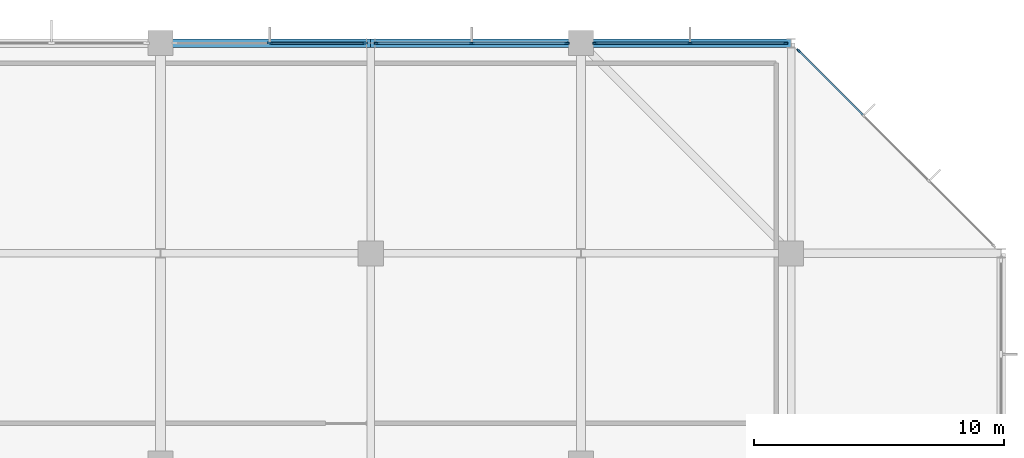
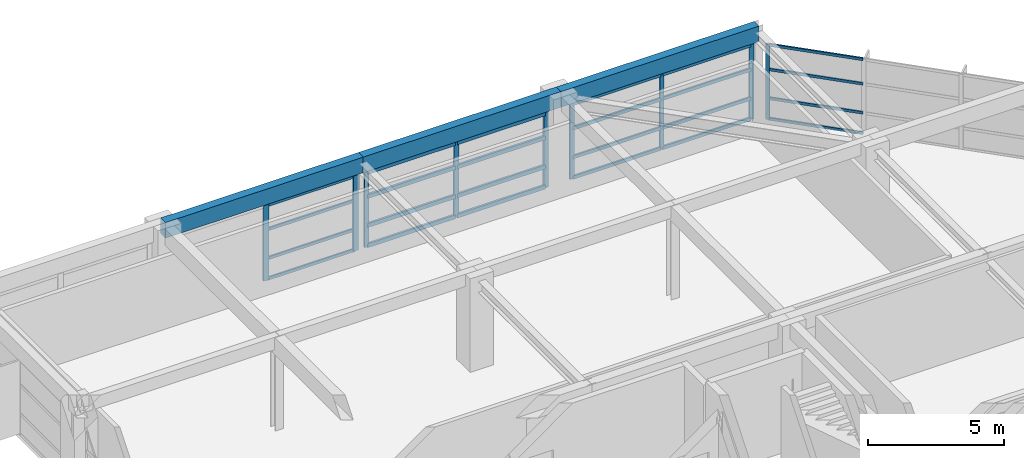
# One storey, part 24 of 32: 33 members, 3 beams, 4 elements without a shape of their own.
"""IFC4 building model written with IfcOpenShell, lengths in metres."""

from ifc_helpers import new_model, si_unit, direction, frame, origin, origin_2d, place, context, subcontext, project, spatial, rectangle, extrude, material, material_profile, profile_set, type_object, element, aggregate, save


model = new_model("IFC4")

# Units and contexts
model_context = context("Model", 3, precision=1e-05, world=origin(), true_north=direction((0.0, 1.0)))
body_context = subcontext(model_context, "Body", "Model", "MODEL_VIEW")
ifc_project = project(units=[si_unit("LENGTHUNIT", "METRE"), si_unit("AREAUNIT", "SQUARE_METRE"), si_unit("VOLUMEUNIT", "CUBIC_METRE"), si_unit("PLANEANGLEUNIT", "RADIAN"), si_unit("MASSUNIT", "GRAM", prefix="KILO")], contexts=[model_context])

# Site, building, storey
site_placement = place(None, origin())
site = spatial("IfcSite", under=ifc_project, at=site_placement, CompositionType="ELEMENT")
building_placement = place(site_placement, origin())
building = spatial("IfcBuilding", under=site, at=building_placement, Name="Xuanlan Plaza Opera House", CompositionType="ELEMENT")
storey_placement = place(building_placement, frame((0.0, 0.0, 40.5)))
storey = spatial("IfcBuildingStorey", under=building, at=storey_placement, Name="L09", CompositionType="ELEMENT", Elevation=40.5)

# Curtain wall, member
ifc_material_1 = material(Name="Anodised Aluminium 6063-T6 and Low-E Glass", Category="aluminium")
curtain_wall_type_1 = type_object("IfcCurtainWallType", Name="ENV-CW-CW-01", PredefinedType="USERDEFINED", material=ifc_material_1)
curtain_wall_1_placement = place(storey_placement, origin())
curtain_wall_1 = element("IfcCurtainWall", 1, at=curtain_wall_1_placement, inside=storey, type_object=curtain_wall_type_1, Name="Unitised Curtain Wall L09-010", ObjectType="UNITISED CURTAIN WALL", PredefinedType="USERDEFINED")
ifc_material_2 = material(Name="Anodised Aluminium 6063-T6", Category="aluminium")
ifc_material_profile_1 = material_profile(ifc_material_2, rectangle(XDim=0.06494140625, YDim=0.159912109375, at=origin_2d()), Name="ALU-M 65x160")
ifc_profile_set_1 = profile_set([ifc_material_profile_1], Name="Anodised Aluminium 6063-T6")
member_type_1 = type_object("IfcMemberType", Name="ENV-CWM-01", PredefinedType="MULLION", material=ifc_profile_set_1)
member_1_placement = place(storey_placement, frame((159.89697265625, 83.703125, 0.0), z_axis=(0.0, 0.0, 1.0), x_axis=(-0.707106781187, -0.707106781187, 0.0)))
member_1 = element("IfcMember", 2, at=member_1_placement, type_object=member_type_1, Name="CW-01 mullion 4", PredefinedType="MULLION", context=body_context, shape_type="SweptSolid", body=[
    extrude(rectangle(XDim=0.06494140625, YDim=0.159912109375, at=origin_2d()), origin(), (0.0, 0.0, 1.0), 3.3798828125),
])

# Curtain wall, members
curtain_wall_type_2 = type_object("IfcCurtainWallType", Name="ENV-CW-CW-02", PredefinedType="USERDEFINED", material=ifc_material_1)
curtain_wall_2_placement = place(storey_placement, origin())
curtain_wall_2 = element("IfcCurtainWall", 3, at=curtain_wall_2_placement, inside=storey, type_object=curtain_wall_type_2, Name="Unitised Curtain Wall L09-011", ObjectType="UNITISED CURTAIN WALL", PredefinedType="USERDEFINED")
ifc_material_profile_2 = material_profile(ifc_material_2, rectangle(XDim=0.070068359375, YDim=0.179931640625, at=origin_2d()), Name="ALU-M 70x180")
ifc_profile_set_2 = profile_set([ifc_material_profile_2], Name="Anodised Aluminium 6063-T6")
member_type_2 = type_object("IfcMemberType", Name="ENV-CWM-02", PredefinedType="MULLION", material=ifc_profile_set_2)
member_2_placement = place(storey_placement, frame((159.3701171875, 84.0, 0.0), z_axis=(0.0, 0.0, 1.0), x_axis=(0.0, -1.0, 0.0)))
member_2 = element("IfcMember", 4, at=member_2_placement, type_object=member_type_2, Name="CW-02 mullion 1", PredefinedType="MULLION", context=body_context, shape_type="SweptSolid", body=[
    extrude(rectangle(XDim=0.070068359375, YDim=0.179931640625, at=origin_2d()), origin(), (0.0, 0.0, 1.0), 3.3798828125),
])
member_3_placement = place(storey_placement, frame((155.5625, 84.0, 0.0), z_axis=(0.0, 0.0, 1.0), x_axis=(0.0, -1.0, 0.0)))
member_3 = element("IfcMember", 5, at=member_3_placement, type_object=member_type_2, Name="CW-02 mullion 2", PredefinedType="MULLION", context=body_context, shape_type="SweptSolid", body=[
    extrude(rectangle(XDim=0.070068359375, YDim=0.179931640625, at=origin_2d()), origin(), (0.0, 0.0, 1.0), 3.3798828125),
])
member_4_placement = place(storey_placement, frame((151.7548828125, 84.0, 0.0), z_axis=(0.0, 0.0, 1.0), x_axis=(0.0, -1.0, 0.0)))
member_4 = element("IfcMember", 6, at=member_4_placement, type_object=member_type_2, Name="CW-02 mullion 3", PredefinedType="MULLION", context=body_context, shape_type="SweptSolid", body=[
    extrude(rectangle(XDim=0.070068359375, YDim=0.179931640625, at=origin_2d()), origin(), (0.0, 0.0, 1.0), 3.3798828125),
])

curtain_wall_type_3 = type_object("IfcCurtainWallType", Name="ENV-CW-CW-03", PredefinedType="USERDEFINED", material=ifc_material_1)
curtain_wall_3_placement = place(storey_placement, origin())
curtain_wall_3 = element("IfcCurtainWall", 7, at=curtain_wall_3_placement, inside=storey, type_object=curtain_wall_type_3, Name="Unitised Curtain Wall L09-012", ObjectType="UNITISED CURTAIN WALL", PredefinedType="USERDEFINED")
ifc_material_profile_3 = material_profile(ifc_material_2, rectangle(XDim=0.074951171875, YDim=0.199951171875, at=origin_2d()), Name="ALU-M 75x200")
ifc_profile_set_3 = profile_set([ifc_material_profile_3], Name="Anodised Aluminium 6063-T6")
member_type_3 = type_object("IfcMemberType", Name="ENV-CWM-03", PredefinedType="MULLION", material=ifc_profile_set_3)
member_5_placement = place(storey_placement, frame((150.642578125, 84.0, 0.0), z_axis=(0.0, 0.0, 1.0), x_axis=(0.0, -1.0, 0.0)))
member_5 = element("IfcMember", 8, at=member_5_placement, type_object=member_type_3, Name="CW-03 mullion 1", PredefinedType="MULLION", context=body_context, shape_type="SweptSolid", body=[
    extrude(rectangle(XDim=0.074951171875, YDim=0.199951171875, at=origin_2d()), origin(), (0.0, 0.0, 1.0), 3.3798828125),
])
member_6_placement = place(storey_placement, frame((146.83740234375, 84.0, 0.0), z_axis=(0.0, 0.0, 1.0), x_axis=(0.0, -1.0, 0.0)))
member_6 = element("IfcMember", 9, at=member_6_placement, type_object=member_type_3, Name="CW-03 mullion 2", PredefinedType="MULLION", context=body_context, shape_type="SweptSolid", body=[
    extrude(rectangle(XDim=0.074951171875, YDim=0.199951171875, at=origin_2d()), origin(), (0.0, 0.0, 1.0), 3.3798828125),
])
member_7_placement = place(storey_placement, frame((143.032470703125, 84.0, 0.0), z_axis=(0.0, 0.0, 1.0), x_axis=(0.0, -1.0, 0.0)))
member_7 = element("IfcMember", 10, at=member_7_placement, type_object=member_type_3, Name="CW-03 mullion 3", PredefinedType="MULLION", context=body_context, shape_type="SweptSolid", body=[
    extrude(rectangle(XDim=0.074951171875, YDim=0.199951171875, at=origin_2d()), origin(), (0.0, 0.0, 1.0), 3.3798828125),
])

curtain_wall_type_4 = type_object("IfcCurtainWallType", Name="ENV-CW-CW-04", PredefinedType="USERDEFINED", material=ifc_material_1)
curtain_wall_4_placement = place(storey_placement, origin())
curtain_wall_4 = element("IfcCurtainWall", 11, at=curtain_wall_4_placement, inside=storey, type_object=curtain_wall_type_4, Name="Unitised Curtain Wall L09-013", ObjectType="UNITISED CURTAIN WALL", PredefinedType="USERDEFINED")
ifc_material_profile_4 = material_profile(ifc_material_2, rectangle(XDim=0.080078125, YDim=0.219970703125, at=origin_2d()), Name="ALU-M 80x220")
ifc_profile_set_4 = profile_set([ifc_material_profile_4], Name="Anodised Aluminium 6063-T6")
member_type_4 = type_object("IfcMemberType", Name="ENV-CWM-04", PredefinedType="MULLION", material=ifc_profile_set_4)
member_8_placement = place(storey_placement, frame((142.56494140625, 84.0, 0.0), z_axis=(0.0, 0.0, 1.0), x_axis=(0.0, -1.0, 0.0)))
member_8 = element("IfcMember", 12, at=member_8_placement, type_object=member_type_4, Name="CW-04 mullion 1", PredefinedType="MULLION", context=body_context, shape_type="SweptSolid", body=[
    extrude(rectangle(XDim=0.080078125, YDim=0.219970703125, at=origin_2d()), origin(), (0.0, 0.0, 1.0), 3.3798828125),
])
member_9_placement = place(storey_placement, frame((138.762451171875, 84.0, 0.0), z_axis=(0.0, 0.0, 1.0), x_axis=(0.0, -1.0, 0.0)))
member_9 = element("IfcMember", 13, at=member_9_placement, type_object=member_type_4, Name="CW-04 mullion 2", PredefinedType="MULLION", context=body_context, shape_type="SweptSolid", body=[
    extrude(rectangle(XDim=0.080078125, YDim=0.219970703125, at=origin_2d()), origin(), (0.0, 0.0, 1.0), 3.3798828125),
])

# Member
ifc_material_profile_5 = material_profile(ifc_material_2, rectangle(XDim=0.06494140625, YDim=0.1201171875, at=origin_2d()), Name="ALU-T 65x120")
ifc_profile_set_5 = profile_set([ifc_material_profile_5], Name="Anodised Aluminium 6063-T6")
member_type_5 = type_object("IfcMemberType", Name="ENV-CWT-01", PredefinedType="USERDEFINED", material=ifc_profile_set_5)
member_10_placement = place(storey_placement, frame((162.46826171875, 81.131591796875, 0.032470703125), z_axis=(-0.707106781187, 0.707106781187, 0.0), x_axis=(-0.707106781187, -0.707106781187, 0.0)))
member_10 = element("IfcMember", 14, at=member_10_placement, type_object=member_type_5, Name="CW-01 transom 3.1", ObjectType="TRANSOM", PredefinedType="USERDEFINED", context=body_context, shape_type="SweptSolid", body=[
    extrude(rectangle(XDim=0.06494140625, YDim=0.1201171875, at=origin_2d()), origin(), (0.0, 0.0, 1.0), 3.60400390625),
])

member_11_placement = place(storey_placement, frame((162.46826171875, 81.131591796875, 0.949951171875), z_axis=(-0.707106781187, 0.707106781187, 0.0), x_axis=(-0.707106781187, -0.707106781187, 0.0)))
member_11 = element("IfcMember", 15, at=member_11_placement, type_object=member_type_5, Name="CW-01 transom 3.2", ObjectType="TRANSOM", PredefinedType="USERDEFINED", context=body_context, shape_type="SweptSolid", body=[
    extrude(rectangle(XDim=0.06494140625, YDim=0.1201171875, at=origin_2d()), origin(), (0.0, 0.0, 1.0), 3.60400390625),
])

member_12_placement = place(storey_placement, frame((162.46826171875, 81.131591796875, 2.25), z_axis=(-0.707106781187, 0.707106781187, 0.0), x_axis=(-0.707106781187, -0.707106781187, 0.0)))
member_12 = element("IfcMember", 16, at=member_12_placement, type_object=member_type_5, Name="CW-01 transom 3.3", ObjectType="TRANSOM", PredefinedType="USERDEFINED", context=body_context, shape_type="SweptSolid", body=[
    extrude(rectangle(XDim=0.06494140625, YDim=0.1201171875, at=origin_2d()), origin(), (0.0, 0.0, 1.0), 3.60400390625),
])

member_13_placement = place(storey_placement, frame((162.46826171875, 81.131591796875, 3.347412109375), z_axis=(-0.707106781187, 0.707106781187, 0.0), x_axis=(-0.707106781187, -0.707106781187, 0.0)))
member_13 = element("IfcMember", 17, at=member_13_placement, type_object=member_type_5, Name="CW-01 transom 3.4", ObjectType="TRANSOM", PredefinedType="USERDEFINED", context=body_context, shape_type="SweptSolid", body=[
    extrude(rectangle(XDim=0.06494140625, YDim=0.1201171875, at=origin_2d()), origin(), (0.0, 0.0, 1.0), 3.60400390625),
])

aggregate(curtain_wall_1, [member_1, member_10, member_11, member_12, member_13])

ifc_material_profile_6 = material_profile(ifc_material_2, rectangle(XDim=0.070068359375, YDim=0.135009765625, at=origin_2d()), Name="ALU-T 70x135")
ifc_profile_set_6 = profile_set([ifc_material_profile_6], Name="Anodised Aluminium 6063-T6")
member_type_6 = type_object("IfcMemberType", Name="ENV-CWT-02", PredefinedType="USERDEFINED", material=ifc_profile_set_6)
member_14_placement = place(storey_placement, frame((142.52490234375, 84.0, 0.034912109375), z_axis=(-1.0, 0.0, 0.0), x_axis=(0.0, -1.0, 0.0)))
member_14 = element("IfcMember", 18, at=member_14_placement, type_object=member_type_6, Name="CW-04 transom 1.1", ObjectType="TRANSOM", PredefinedType="USERDEFINED", context=body_context, shape_type="SweptSolid", body=[
    extrude(rectangle(XDim=0.070068359375, YDim=0.135009765625, at=origin_2d()), origin(), (0.0, 0.0, 1.0), 3.722412109375),
])

member_15_placement = place(storey_placement, frame((142.52490234375, 84.0, 0.949951171875), z_axis=(-1.0, 0.0, 0.0), x_axis=(0.0, -1.0, 0.0)))
member_15 = element("IfcMember", 19, at=member_15_placement, type_object=member_type_6, Name="CW-04 transom 1.2", ObjectType="TRANSOM", PredefinedType="USERDEFINED", context=body_context, shape_type="SweptSolid", body=[
    extrude(rectangle(XDim=0.070068359375, YDim=0.135009765625, at=origin_2d()), origin(), (0.0, 0.0, 1.0), 3.722412109375),
])

member_16_placement = place(storey_placement, frame((142.52490234375, 84.0, 2.25), z_axis=(-1.0, 0.0, 0.0), x_axis=(0.0, -1.0, 0.0)))
member_16 = element("IfcMember", 20, at=member_16_placement, type_object=member_type_6, Name="CW-04 transom 1.3", ObjectType="TRANSOM", PredefinedType="USERDEFINED", context=body_context, shape_type="SweptSolid", body=[
    extrude(rectangle(XDim=0.070068359375, YDim=0.135009765625, at=origin_2d()), origin(), (0.0, 0.0, 1.0), 3.722412109375),
])

member_17_placement = place(storey_placement, frame((142.52490234375, 84.0, 3.344970703125), z_axis=(-1.0, 0.0, 0.0), x_axis=(0.0, -1.0, 0.0)))
member_17 = element("IfcMember", 21, at=member_17_placement, type_object=member_type_6, Name="CW-04 transom 1.4", ObjectType="TRANSOM", PredefinedType="USERDEFINED", context=body_context, shape_type="SweptSolid", body=[
    extrude(rectangle(XDim=0.070068359375, YDim=0.135009765625, at=origin_2d()), origin(), (0.0, 0.0, 1.0), 3.722412109375),
])

aggregate(curtain_wall_4, [member_8, member_9, member_14, member_15, member_16, member_17])

ifc_material_profile_7 = material_profile(ifc_material_2, rectangle(XDim=0.074951171875, YDim=0.14990234375, at=origin_2d()), Name="ALU-T 75x150")
ifc_profile_set_7 = profile_set([ifc_material_profile_7], Name="Anodised Aluminium 6063-T6")
member_type_7 = type_object("IfcMemberType", Name="ENV-CWT-03", PredefinedType="USERDEFINED", material=ifc_profile_set_7)
member_18_placement = place(storey_placement, frame((159.3349609375, 84.0, 0.03759765625), z_axis=(-1.0, 0.0, 0.0), x_axis=(0.0, -1.0, 0.0)))
member_18 = element("IfcMember", 22, at=member_18_placement, type_object=member_type_7, Name="CW-02 transom 1.1", ObjectType="TRANSOM", PredefinedType="USERDEFINED", context=body_context, shape_type="SweptSolid", body=[
    extrude(rectangle(XDim=0.074951171875, YDim=0.14990234375, at=origin_2d()), origin(), (0.0, 0.0, 1.0), 3.737548828125),
])

member_19_placement = place(storey_placement, frame((159.3349609375, 84.0, 0.949951171875), z_axis=(-1.0, 0.0, 0.0), x_axis=(0.0, -1.0, 0.0)))
member_19 = element("IfcMember", 23, at=member_19_placement, type_object=member_type_7, Name="CW-02 transom 1.2", ObjectType="TRANSOM", PredefinedType="USERDEFINED", context=body_context, shape_type="SweptSolid", body=[
    extrude(rectangle(XDim=0.074951171875, YDim=0.14990234375, at=origin_2d()), origin(), (0.0, 0.0, 1.0), 3.737548828125),
])

member_20_placement = place(storey_placement, frame((159.3349609375, 84.0, 2.25), z_axis=(-1.0, 0.0, 0.0), x_axis=(0.0, -1.0, 0.0)))
member_20 = element("IfcMember", 24, at=member_20_placement, type_object=member_type_7, Name="CW-02 transom 1.3", ObjectType="TRANSOM", PredefinedType="USERDEFINED", context=body_context, shape_type="SweptSolid", body=[
    extrude(rectangle(XDim=0.074951171875, YDim=0.14990234375, at=origin_2d()), origin(), (0.0, 0.0, 1.0), 3.737548828125),
])

member_21_placement = place(storey_placement, frame((159.3349609375, 84.0, 3.342529296875), z_axis=(-1.0, 0.0, 0.0), x_axis=(0.0, -1.0, 0.0)))
member_21 = element("IfcMember", 25, at=member_21_placement, type_object=member_type_7, Name="CW-02 transom 1.4", ObjectType="TRANSOM", PredefinedType="USERDEFINED", context=body_context, shape_type="SweptSolid", body=[
    extrude(rectangle(XDim=0.074951171875, YDim=0.14990234375, at=origin_2d()), origin(), (0.0, 0.0, 1.0), 3.737548828125),
])

member_22_placement = place(storey_placement, frame((155.527587890625, 84.0, 0.03759765625), z_axis=(-1.0, 0.0, 0.0), x_axis=(0.0, -1.0, 0.0)))
member_22 = element("IfcMember", 26, at=member_22_placement, type_object=member_type_7, Name="CW-02 transom 2.1", ObjectType="TRANSOM", PredefinedType="USERDEFINED", context=body_context, shape_type="SweptSolid", body=[
    extrude(rectangle(XDim=0.074951171875, YDim=0.14990234375, at=origin_2d()), origin(), (0.0, 0.0, 1.0), 3.737548828125),
])

member_23_placement = place(storey_placement, frame((155.527587890625, 84.0, 0.949951171875), z_axis=(-1.0, 0.0, 0.0), x_axis=(0.0, -1.0, 0.0)))
member_23 = element("IfcMember", 27, at=member_23_placement, type_object=member_type_7, Name="CW-02 transom 2.2", ObjectType="TRANSOM", PredefinedType="USERDEFINED", context=body_context, shape_type="SweptSolid", body=[
    extrude(rectangle(XDim=0.074951171875, YDim=0.14990234375, at=origin_2d()), origin(), (0.0, 0.0, 1.0), 3.737548828125),
])

member_24_placement = place(storey_placement, frame((155.527587890625, 84.0, 2.25), z_axis=(-1.0, 0.0, 0.0), x_axis=(0.0, -1.0, 0.0)))
member_24 = element("IfcMember", 28, at=member_24_placement, type_object=member_type_7, Name="CW-02 transom 2.3", ObjectType="TRANSOM", PredefinedType="USERDEFINED", context=body_context, shape_type="SweptSolid", body=[
    extrude(rectangle(XDim=0.074951171875, YDim=0.14990234375, at=origin_2d()), origin(), (0.0, 0.0, 1.0), 3.737548828125),
])

member_25_placement = place(storey_placement, frame((155.527587890625, 84.0, 3.342529296875), z_axis=(-1.0, 0.0, 0.0), x_axis=(0.0, -1.0, 0.0)))
member_25 = element("IfcMember", 29, at=member_25_placement, type_object=member_type_7, Name="CW-02 transom 2.4", ObjectType="TRANSOM", PredefinedType="USERDEFINED", context=body_context, shape_type="SweptSolid", body=[
    extrude(rectangle(XDim=0.074951171875, YDim=0.14990234375, at=origin_2d()), origin(), (0.0, 0.0, 1.0), 3.737548828125),
])

aggregate(curtain_wall_2, [member_2, member_3, member_4, member_18, member_19, member_20, member_21, member_22, member_23, member_24, member_25])

ifc_material_profile_8 = material_profile(ifc_material_2, rectangle(XDim=0.090087890625, YDim=0.179931640625, at=origin_2d()), Name="ALU-T 90x180")
ifc_profile_set_8 = profile_set([ifc_material_profile_8], Name="Anodised Aluminium 6063-T6")
member_type_8 = type_object("IfcMemberType", Name="ENV-CWT-05", PredefinedType="USERDEFINED", material=ifc_profile_set_8)
member_26_placement = place(storey_placement, frame((150.60498046875, 84.0, 0.044921875), z_axis=(-1.0, 0.0, 0.0), x_axis=(0.0, -1.0, 0.0)))
member_26 = element("IfcMember", 30, at=member_26_placement, type_object=member_type_8, Name="CW-03 transom 1.1", ObjectType="TRANSOM", PredefinedType="USERDEFINED", context=body_context, shape_type="SweptSolid", body=[
    extrude(rectangle(XDim=0.090087890625, YDim=0.179931640625, at=origin_2d()), origin(), (0.0, 0.0, 1.0), 3.72998046875),
])

member_27_placement = place(storey_placement, frame((150.60498046875, 84.0, 0.949951171875), z_axis=(-1.0, 0.0, 0.0), x_axis=(0.0, -1.0, 0.0)))
member_27 = element("IfcMember", 31, at=member_27_placement, type_object=member_type_8, Name="CW-03 transom 1.2", ObjectType="TRANSOM", PredefinedType="USERDEFINED", context=body_context, shape_type="SweptSolid", body=[
    extrude(rectangle(XDim=0.090087890625, YDim=0.179931640625, at=origin_2d()), origin(), (0.0, 0.0, 1.0), 3.72998046875),
])

member_28_placement = place(storey_placement, frame((150.60498046875, 84.0, 2.25), z_axis=(-1.0, 0.0, 0.0), x_axis=(0.0, -1.0, 0.0)))
member_28 = element("IfcMember", 32, at=member_28_placement, type_object=member_type_8, Name="CW-03 transom 1.3", ObjectType="TRANSOM", PredefinedType="USERDEFINED", context=body_context, shape_type="SweptSolid", body=[
    extrude(rectangle(XDim=0.090087890625, YDim=0.179931640625, at=origin_2d()), origin(), (0.0, 0.0, 1.0), 3.72998046875),
])

member_29_placement = place(storey_placement, frame((150.60498046875, 84.0, 3.3349609375), z_axis=(-1.0, 0.0, 0.0), x_axis=(0.0, -1.0, 0.0)))
member_29 = element("IfcMember", 33, at=member_29_placement, type_object=member_type_8, Name="CW-03 transom 1.4", ObjectType="TRANSOM", PredefinedType="USERDEFINED", context=body_context, shape_type="SweptSolid", body=[
    extrude(rectangle(XDim=0.090087890625, YDim=0.179931640625, at=origin_2d()), origin(), (0.0, 0.0, 1.0), 3.72998046875),
])

member_30_placement = place(storey_placement, frame((146.800048828125, 84.0, 0.044921875), z_axis=(-1.0, 0.0, 0.0), x_axis=(0.0, -1.0, 0.0)))
member_30 = element("IfcMember", 34, at=member_30_placement, type_object=member_type_8, Name="CW-03 transom 2.1", ObjectType="TRANSOM", PredefinedType="USERDEFINED", context=body_context, shape_type="SweptSolid", body=[
    extrude(rectangle(XDim=0.090087890625, YDim=0.179931640625, at=origin_2d()), origin(), (0.0, 0.0, 1.0), 3.72998046875),
])

member_31_placement = place(storey_placement, frame((146.800048828125, 84.0, 0.949951171875), z_axis=(-1.0, 0.0, 0.0), x_axis=(0.0, -1.0, 0.0)))
member_31 = element("IfcMember", 35, at=member_31_placement, type_object=member_type_8, Name="CW-03 transom 2.2", ObjectType="TRANSOM", PredefinedType="USERDEFINED", context=body_context, shape_type="SweptSolid", body=[
    extrude(rectangle(XDim=0.090087890625, YDim=0.179931640625, at=origin_2d()), origin(), (0.0, 0.0, 1.0), 3.72998046875),
])

member_32_placement = place(storey_placement, frame((146.800048828125, 84.0, 2.25), z_axis=(-1.0, 0.0, 0.0), x_axis=(0.0, -1.0, 0.0)))
member_32 = element("IfcMember", 36, at=member_32_placement, type_object=member_type_8, Name="CW-03 transom 2.3", ObjectType="TRANSOM", PredefinedType="USERDEFINED", context=body_context, shape_type="SweptSolid", body=[
    extrude(rectangle(XDim=0.090087890625, YDim=0.179931640625, at=origin_2d()), origin(), (0.0, 0.0, 1.0), 3.72998046875),
])

member_33_placement = place(storey_placement, frame((146.800048828125, 84.0, 3.3349609375), z_axis=(-1.0, 0.0, 0.0), x_axis=(0.0, -1.0, 0.0)))
member_33 = element("IfcMember", 37, at=member_33_placement, type_object=member_type_8, Name="CW-03 transom 2.4", ObjectType="TRANSOM", PredefinedType="USERDEFINED", context=body_context, shape_type="SweptSolid", body=[
    extrude(rectangle(XDim=0.090087890625, YDim=0.179931640625, at=origin_2d()), origin(), (0.0, 0.0, 1.0), 3.72998046875),
])

aggregate(curtain_wall_3, [member_5, member_6, member_7, member_26, member_27, member_28, member_29, member_30, member_31, member_32, member_33])

# Beams
ifc_material_3 = material(Name="Concrete C40", Category="concrete")
ifc_material_profile_9 = material_profile(ifc_material_3, rectangle(XDim=0.35009765625, YDim=0.699951171875, at=origin_2d()), Name="RC-SPD 350x700")
ifc_profile_set_9 = profile_set([ifc_material_profile_9], Name="Concrete C40")
beam_type = type_object("IfcBeamType", Name="STR-BM-SP-02", PredefinedType="SPANDREL", material=ifc_profile_set_9)
beam_1_placement = place(storey_placement, frame((134.39990234375, 84.0, 3.85009765625), z_axis=(1.0, 0.0, 0.0), x_axis=(0.0, 1.0, 0.0)))
element("IfcBeam", 38, at=beam_1_placement, inside=storey, type_object=beam_type, Name="Grid Beam X L09 17-18/K", PredefinedType="SPANDREL", context=body_context, shape_type="SweptSolid", body=[
    extrude(rectangle(XDim=0.35009765625, YDim=0.699951171875, at=origin_2d()), origin(), (0.0, 0.0, 1.0), 8.400146484375),
])
beam_2_placement = place(storey_placement, frame((142.800048828125, 84.0, 3.85009765625), z_axis=(1.0, 0.0, 0.0), x_axis=(0.0, 1.0, 0.0)))
element("IfcBeam", 39, at=beam_2_placement, inside=storey, type_object=beam_type, Name="Grid Beam X L09 18-19/K", PredefinedType="SPANDREL", context=body_context, shape_type="SweptSolid", body=[
    extrude(rectangle(XDim=0.35009765625, YDim=0.699951171875, at=origin_2d()), origin(), (0.0, 0.0, 1.0), 8.39990234375),
])
beam_3_placement = place(storey_placement, frame((151.199951171875, 84.0, 3.85009765625), z_axis=(1.0, 0.0, 0.0), x_axis=(0.0, 1.0, 0.0)))
element("IfcBeam", 40, at=beam_3_placement, inside=storey, type_object=beam_type, Name="Grid Beam X L09 19-20/K", PredefinedType="SPANDREL", context=body_context, shape_type="SweptSolid", body=[
    extrude(rectangle(XDim=0.35009765625, YDim=0.699951171875, at=origin_2d()), origin(), (0.0, 0.0, 1.0), 8.400146484375),
])

save(model, "model.ifc")
